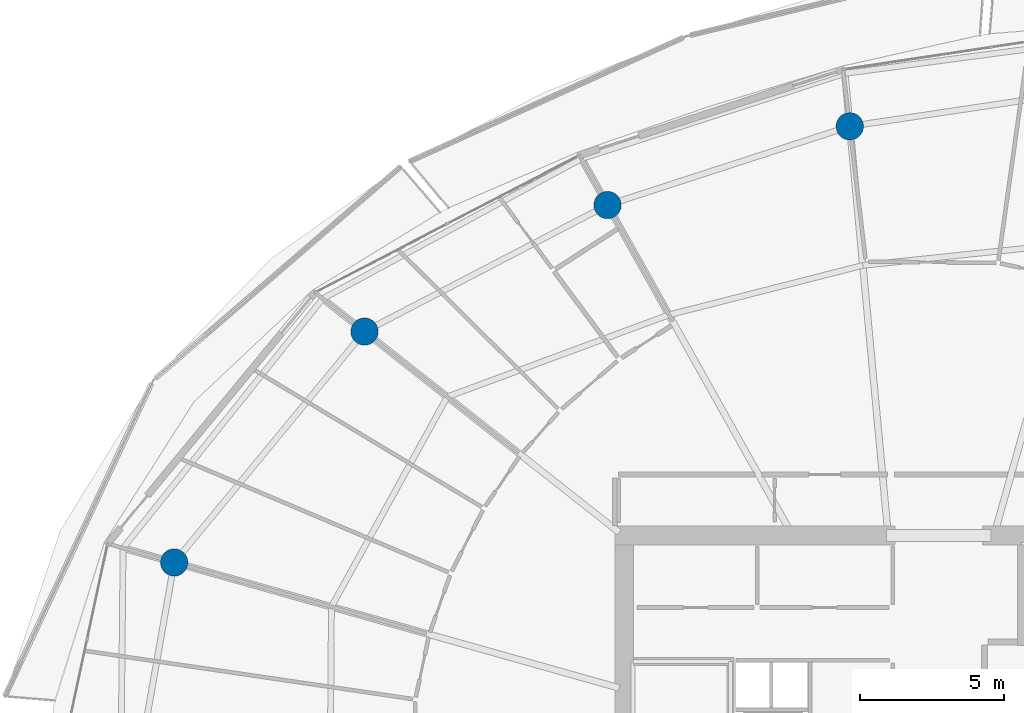
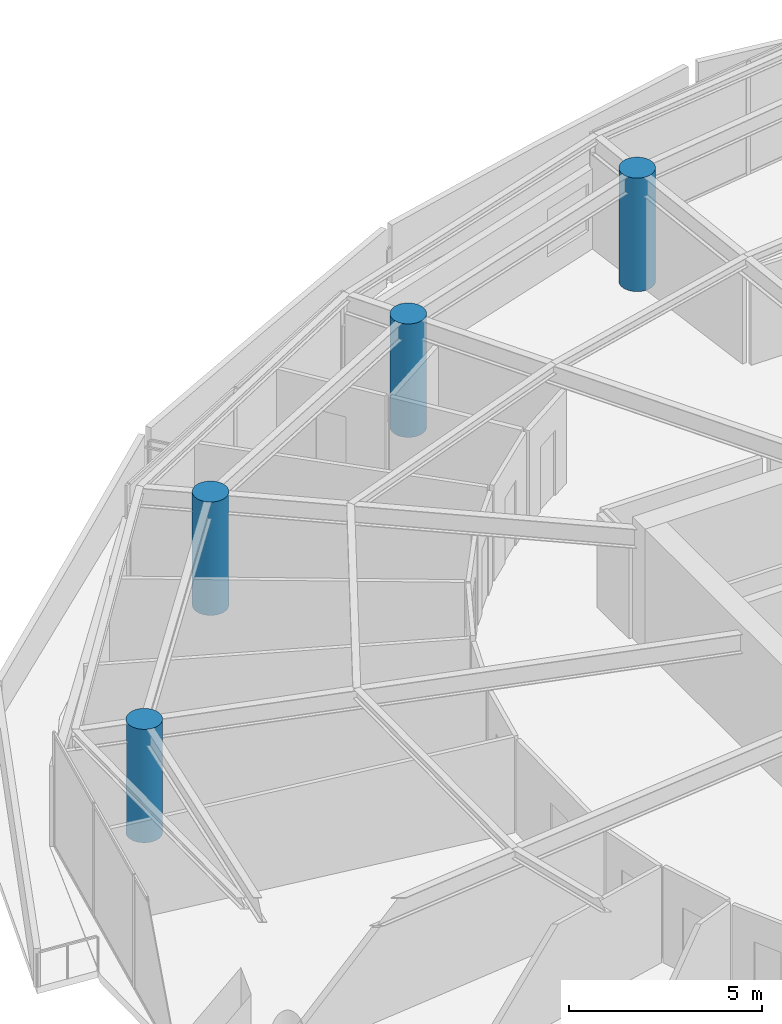
# One storey, part 4 of 31: 4 columns.
"""IFC4 building model written with IfcOpenShell, lengths in metres."""

from ifc_helpers import new_model, si_unit, direction, frame, origin, origin_2d, place, context, subcontext, project, spatial, circle, extrude, material, material_profile, profile_set, type_object, element, save


model = new_model("IFC4")

# Units and contexts
model_context = context("Model", 3, precision=1e-05, world=origin(), true_north=direction((0.0, 1.0)))
body_context = subcontext(model_context, "Body", "Model", "MODEL_VIEW")
ifc_project = project(units=[si_unit("LENGTHUNIT", "METRE"), si_unit("AREAUNIT", "SQUARE_METRE"), si_unit("VOLUMEUNIT", "CUBIC_METRE"), si_unit("PLANEANGLEUNIT", "RADIAN"), si_unit("MASSUNIT", "GRAM", prefix="KILO")], contexts=[model_context])

# Site, building, storey
site_placement = place(None, origin())
site = spatial("IfcSite", under=ifc_project, at=site_placement, CompositionType="ELEMENT")
building_placement = place(site_placement, origin())
building = spatial("IfcBuilding", under=site, at=building_placement, Name="Kazma Halo Residences", CompositionType="ELEMENT")
storey_placement = place(building_placement, frame((0.0, 0.0, 248.25)))
storey = spatial("IfcBuildingStorey", under=building, at=storey_placement, Name="L62", CompositionType="ELEMENT", Elevation=248.25)

# Columns
ifc_material = material(Name="Concrete C60/75", Category="concrete")
ifc_material_profile = material_profile(ifc_material, circle(Radius=0.47509765625, at=origin_2d()), Name="CIRC950")
ifc_profile_set = profile_set([ifc_material_profile], Name="Concrete C60/75")
column_type = type_object("IfcColumnType", Name="COL-PERIM-950", PredefinedType="COLUMN", material=ifc_profile_set)
for number, where, z_axis, x_axis, name in (
    (1, (45.32861328125, 64.57080078125, 0.0), (0.0, 0.0, 1.0), (1.0, 0.0, 0.0), "L62 perimeter ring column P04"),
    (2, (36.89453125, 61.830322265625, 0.0), (0.0, 0.0, 1.0), (1.0, 0.0, 0.0), "L62 perimeter ring column P05"),
    (3, (28.433837890625, 57.4248046875, 0.0), (0.0, 0.0, 1.0), (1.0, 0.0, 0.0), "L62 perimeter ring column P06"),
    (4, (21.80908203125, 49.38671875, 0.0), (0.0, 0.0, 1.0), (1.0, 0.0, 0.0), "L62 perimeter ring column P07"),
):
    element("IfcColumn", number, at=place(storey_placement, frame(where, z_axis=z_axis, x_axis=x_axis)), inside=storey, type_object=column_type, Name=name, PredefinedType="COLUMN", context=body_context, shape_type="SweptSolid", body=[
        extrude(circle(Radius=0.47509765625, at=origin_2d()), origin(), (0.0, 0.0, 1.0), 3.590087890625),
    ])

save(model, "model.ifc")
